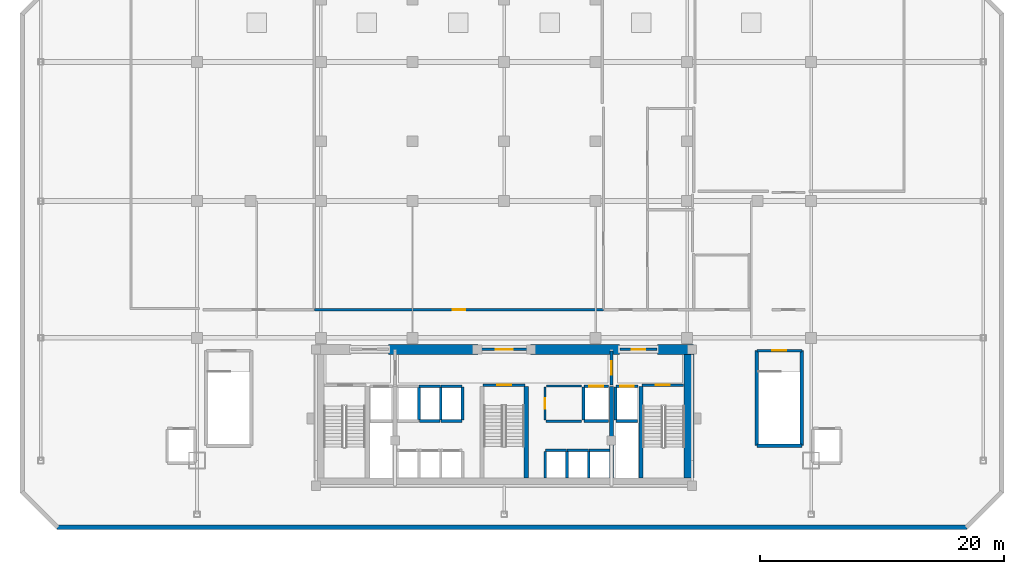
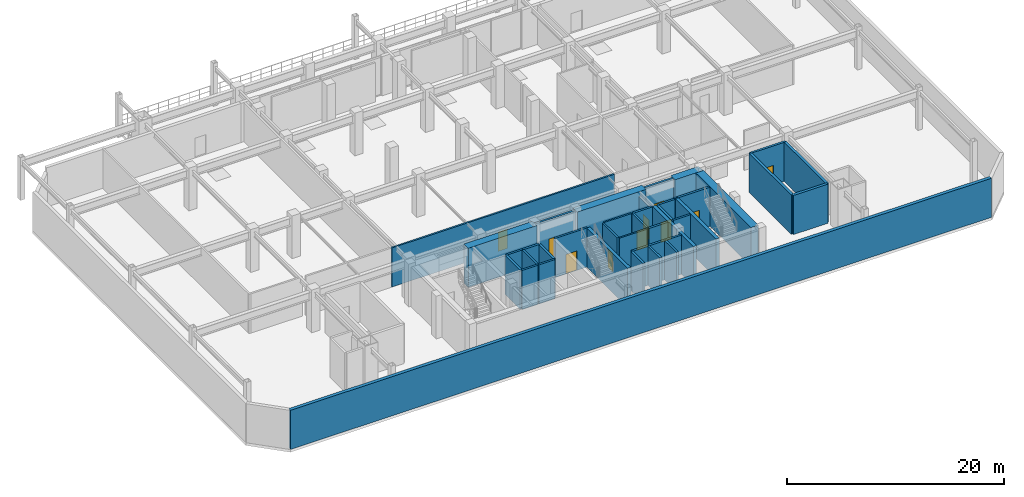
# One storey, part 11 of 15: 40 walls, 10 doors, 10 openings.
"""IFC4 building model written with IfcOpenShell, lengths in metres."""

from ifc_helpers import new_model, si_unit, direction, frame, frame_2d, origin, place, context, subcontext, project, spatial, rectangle, extrude, material, layer, layer_set, type_object, element, fill, save


model = new_model("IFC4")

# Units and contexts
model_context = context("Model", 3, precision=1e-05, world=origin(), true_north=direction((0.0, 1.0)))
body_context = subcontext(model_context, "Body", "Model", "MODEL_VIEW")
ifc_project = project(units=[si_unit("LENGTHUNIT", "METRE"), si_unit("AREAUNIT", "SQUARE_METRE"), si_unit("VOLUMEUNIT", "CUBIC_METRE"), si_unit("PLANEANGLEUNIT", "RADIAN"), si_unit("MASSUNIT", "GRAM", prefix="KILO")], contexts=[model_context])

# Site, building, storey
site_placement = place(None, origin())
site = spatial("IfcSite", under=ifc_project, at=site_placement, CompositionType="ELEMENT")
building_placement = place(site_placement, origin())
building = spatial("IfcBuilding", under=site, at=building_placement, Name="Ventersveld Concourse Tower", CompositionType="ELEMENT")
storey_placement = place(building_placement, frame((0.0, 0.0, 19.800048828125)))
storey = spatial("IfcBuildingStorey", under=building, at=storey_placement, Name="L04", CompositionType="ELEMENT", Elevation=19.800048828125)

# Walls
ifc_material_1 = material(Name="Concrete C60/75", Category="concrete")
ifc_layer_1 = layer(ifc_material_1, 0.35009765625)
ifc_layer_set_1 = layer_set([ifc_layer_1], Name="Concrete C60/75")
wall_type_1 = type_object("IfcWallType", Name="WL-CORE-350L", PredefinedType="SHEAR", material=ifc_layer_set_1)
for number, where, z_axis, x_axis, name in (
    (1, (30.56005859375, 0.919921875, 0.0), (0.0, 0.0, 1.0), (0.0, 1.0, 0.0), "L04 Core Internal Shear Web W-ST3-E"),
    (2, (37.550048828125, 0.919921875, 0.0), (0.0, 0.0, 1.0), (0.0, 1.0, 0.0), "L04 Core Internal Shear Web W-SVL-W"),
    (3, (39.9599609375, 0.919921875, 0.0), (0.0, 0.0, 1.0), (0.0, 1.0, 0.0), "L04 Core Internal Shear Web W-ST2-W"),
):
    element("IfcWall", number, at=place(storey_placement, frame(where, z_axis=z_axis, x_axis=x_axis)), inside=storey, type_object=wall_type_1, Name=name, PredefinedType="SHEAR", context=body_context, shape_type="SweptSolid", body=[
        extrude(rectangle(XDim=7.5, YDim=0.35009765625, at=frame_2d((3.75, 0.0))), origin(), (0.0, 0.0, 1.0), 4.39990234375),
    ])
ifc_layer_2 = layer(ifc_material_1, 0.800048828125)
ifc_layer_set_2 = layer_set([ifc_layer_2], Name="Concrete C60/75")
wall_type_2 = type_object("IfcWallType", Name="WL-CORE-800", PredefinedType="SHEAR", material=ifc_layer_set_2)
wall_1_placement = place(storey_placement, frame((43.89990234375, 0.919921875, 0.0), z_axis=(0.0, 0.0, 1.0), x_axis=(0.0, 1.0, 0.0)))
element("IfcWall", 4, at=wall_1_placement, inside=storey, type_object=wall_type_2, Name="L04 Rear Core East Shear Wall", PredefinedType="SHEAR", context=body_context, shape_type="SweptSolid", body=[
    extrude(rectangle(XDim=10.530029296875, YDim=0.800048828125, at=frame_2d((5.26513671875, 0.0))), origin(), (0.0, 0.0, 1.0), 4.39990234375),
])
for number, where, z_axis, x_axis, name in (
    (5, (19.300048828125, 11.449951171875, 0.0), (0.0, 0.0, 1.0), (1.0, 0.0, 0.0), "L04 Rear Core North Shear Wall NML"),
    (6, (30.89990234375, 11.449951171875, 0.0), (0.0, 0.0, 1.0), (1.0, 0.0, 0.0), "L04 Rear Core North Shear Wall NMR"),
):
    element("IfcWall", number, at=place(storey_placement, frame(where, z_axis=z_axis, x_axis=x_axis)), inside=storey, type_object=wall_type_2, Name=name, PredefinedType="SHEAR", context=body_context, shape_type="SweptSolid", body=[
        extrude(rectangle(XDim=7.300048828125, YDim=0.800048828125, at=frame_2d((3.64990234375, 0.0))), origin(), (0.0, 0.0, 1.0), 4.39990234375),
    ])
wall_2_placement = place(storey_placement, frame((41.300048828125, 11.449951171875, 0.0), z_axis=(0.0, 0.0, 1.0), x_axis=(1.0, 0.0, 0.0)))
element("IfcWall", 7, at=wall_2_placement, inside=storey, type_object=wall_type_2, Name="L04 Rear Core North Shear Wall NE", PredefinedType="SHEAR", context=body_context, shape_type="SweptSolid", body=[
    extrude(rectangle(XDim=2.949951171875, YDim=0.800048828125, at=frame_2d((1.47509765625, 0.0))), origin(), (0.0, 0.0, 1.0), 4.39990234375),
])

# Wall, opening, door
ifc_material_2 = material(Name="Fire-rated autoclaved aerated masonry blockwork", Category="masonry")
ifc_layer_3 = layer(ifc_material_2, 0.179931640625)
ifc_layer_set_3 = layer_set([ifc_layer_3], Name="Fire-rated autoclaved aerated masonry blockwork")
wall_type_3 = type_object("IfcWallType", Name="WL-CORR-180", PredefinedType="PARTITIONING", material=ifc_layer_set_3)
wall_3_placement = place(storey_placement, frame((32.10009765625, 5.64990234375, 0.0), z_axis=(0.0, 0.0, 1.0), x_axis=(0.0, 1.0, 0.0)))
wall_3 = element("IfcWall", 8, at=wall_3_placement, inside=storey, type_object=wall_type_3, Name="L04 Core Passage Wall SP-L04-CBAY1", PredefinedType="PARTITIONING", context=body_context, shape_type="SweptSolid", body=[
    extrude(rectangle(XDim=2.72998046875, YDim=0.179931640625, at=frame_2d((1.364990234375, 0.0))), origin(), (0.0, 0.0, 1.0), 4.39990234375),
])
opening_1_placement = place(wall_3_placement, frame((0.925048828125, 0.0, 0.0)))
opening_1 = element("IfcOpeningElement", 9, at=opening_1_placement, cuts=wall_3, Name="Opening FD5", PredefinedType="OPENING", context=body_context, shape_type="SweptSolid", body=[
    extrude(rectangle(XDim=0.8798828125, YDim=2.050048828125, at=frame_2d((0.43994140625, 1.02490234375))), frame((0.0, 0.10009765625, 0.0), z_axis=(0.0, -1.0, 0.0), x_axis=(1.0, 0.0, 0.0)), (0.0, 0.0, 1.0), 0.199951171875),
])
ifc_material_3 = material(Name="Galvanised painted steel", Category="steel")
door_type_1 = type_object("IfcDoorType", Name="DR-RISER-088", OperationType="NOTDEFINED", PredefinedType="DOOR", material=ifc_material_3)
door_1_placement = place(opening_1_placement, origin())
door_1 = element("IfcDoor", 10, at=door_1_placement, inside=storey, type_object=door_type_1, Name="L04 Core Room Door L04 Core Housekeeping Linen Store (CD-L04-0144)", OperationType="SINGLE_SWING_LEFT", OverallHeight=2.050048828125, OverallWidth=0.8798828125, PredefinedType="DOOR", context=body_context, shape_type="SweptSolid", body=[
    extrude(rectangle(XDim=0.8798828125, YDim=2.050048828125, at=frame_2d((0.43994140625, 1.02490234375))), frame((0.0, 0.02490234375, 0.0), z_axis=(0.0, -1.0, 0.0), x_axis=(1.0, 0.0, 0.0)), (0.0, 0.0, 1.0), 0.050048828125),
])
fill(opening_1, door_1)

# Walls
wall_4_placement = place(storey_placement, frame((32.219970703125, 8.4599609375, 0.0), z_axis=(0.0, 0.0, 1.0), x_axis=(1.0, 0.0, 0.0)))
element("IfcWall", 11, at=wall_4_placement, inside=storey, type_object=wall_type_3, Name="L04 Core Top Wall SP-L04-CBAY1", PredefinedType="PARTITIONING", context=body_context, shape_type="SweptSolid", body=[
    extrude(rectangle(XDim=2.880126953125, YDim=0.179931640625, at=frame_2d((1.43994140625, 0.0))), origin(), (0.0, 0.0, 1.0), 4.39990234375),
])
wall_5_placement = place(storey_placement, frame((32.179931640625, 5.570068359375, 0.0), z_axis=(0.0, 0.0, 1.0), x_axis=(1.0, 0.0, 0.0)))
element("IfcWall", 12, at=wall_5_placement, inside=storey, type_object=wall_type_3, Name="L04 Core Bot Wall SP-L04-CBAY1", PredefinedType="PARTITIONING", context=body_context, shape_type="SweptSolid", body=[
    extrude(rectangle(XDim=2.920166015625, YDim=0.179931640625, at=frame_2d((1.4599609375, 0.0))), origin(), (0.0, 0.0, 1.0), 4.39990234375),
])

# Wall, opening, door
wall_6_placement = place(storey_placement, frame((13.22509765625, 14.699951171875, 0.0), z_axis=(0.0, 0.0, 1.0), x_axis=(1.0, 0.0, 0.0)))
wall_6 = element("IfcWall", 13, at=wall_6_placement, inside=storey, type_object=wall_type_3, Name="L04 Interior Partition SP-L04-COR-SP-L04-LOUNGE", PredefinedType="PARTITIONING", context=body_context, shape_type="SweptSolid", body=[
    extrude(rectangle(XDim=23.669921875, YDim=0.179931640625, at=frame_2d((11.8349609375, 0.0))), origin(), (0.0, 0.0, 1.0), 4.39990234375),
])
opening_2_placement = place(wall_6_placement, frame((11.3349609375, 0.0, 0.0)))
opening_2 = element("IfcOpeningElement", 14, at=opening_2_placement, cuts=wall_6, Name="Opening FD3", PredefinedType="OPENING", context=body_context, shape_type="SweptSolid", body=[
    extrude(rectangle(XDim=1.0, YDim=2.14990234375, at=frame_2d((0.5, 1.074951171875))), frame((0.0, 0.10009765625, 0.0), z_axis=(0.0, -1.0, 0.0), x_axis=(1.0, 0.0, 0.0)), (0.0, 0.0, 1.0), 0.199951171875),
])
ifc_material_4 = material(Name="Solid-core hardwood veneer timber", Category="wood")
door_type_2 = type_object("IfcDoorType", Name="DR-FLAT-100", OperationType="NOTDEFINED", PredefinedType="DOOR", material=ifc_material_4)
door_2_placement = place(opening_2_placement, origin())
door_2 = element("IfcDoor", 15, at=door_2_placement, inside=storey, type_object=door_type_2, Name="L04 Interior Door SP-L04-COR to SP-L04-LOUNGE (D-L04-0146)", OperationType="SINGLE_SWING_RIGHT", OverallHeight=2.14990234375, OverallWidth=1.0, PredefinedType="DOOR", context=body_context, shape_type="SweptSolid", body=[
    extrude(rectangle(XDim=1.0, YDim=2.14990234375, at=frame_2d((0.5, 1.074951171875))), frame((0.0, 0.02490234375, 0.0), z_axis=(0.0, -1.0, 0.0), x_axis=(1.0, 0.0, 0.0)), (0.0, 0.0, 1.0), 0.050048828125),
])
fill(opening_2, door_2)

# Walls
ifc_layer_4 = layer(ifc_material_2, 0.219970703125)
ifc_layer_set_4 = layer_set([ifc_layer_4], Name="Fire-rated autoclaved aerated masonry blockwork")
wall_type_4 = type_object("IfcWallType", Name="WL-HOIST-220", PredefinedType="SOLIDWALL", material=ifc_layer_set_4)
wall_7_placement = place(storey_placement, frame((37.919921875, 5.590087890625, 0.0), z_axis=(0.0, 0.0, 1.0), x_axis=(1.0, 0.0, 0.0)))
element("IfcWall", 16, at=wall_7_placement, inside=storey, type_object=wall_type_4, Name="L04 Lift Hoistway Back Wall FFL-02", PredefinedType="SOLIDWALL", context=body_context, shape_type="SweptSolid", body=[
    extrude(rectangle(XDim=1.780029296875, YDim=0.219970703125, at=frame_2d((0.89013671875, 0.0))), origin(), (0.0, 0.0, 1.0), 4.39990234375),
])
wall_8_placement = place(storey_placement, frame((37.8798828125, 5.64990234375, 0.0), z_axis=(0.0, 0.0, 1.0), x_axis=(0.0, 1.0, 0.0)))
element("IfcWall", 17, at=wall_8_placement, inside=storey, type_object=wall_type_4, Name="L04 Lift Hoistway Side Wall FFL-02W", PredefinedType="SOLIDWALL", context=body_context, shape_type="SweptSolid", body=[
    extrude(rectangle(XDim=2.7001953125, YDim=0.219970703125, at=frame_2d((1.35009765625, 0.0))), origin(), (0.0, 0.0, 1.0), 4.39990234375),
])

# Wall, opening, door
wall_9_placement = place(storey_placement, frame((37.89990234375, 8.429931640625, 0.0), z_axis=(0.0, 0.0, 1.0), x_axis=(1.0, 0.0, 0.0)))
wall_9 = element("IfcWall", 18, at=wall_9_placement, inside=storey, type_object=wall_type_4, Name="L04 Lift Hoistway Front Wall FFL-02", PredefinedType="SOLIDWALL", context=body_context, shape_type="SweptSolid", body=[
    extrude(rectangle(XDim=1.820068359375, YDim=0.219970703125, at=frame_2d((0.91015625, 0.0))), origin(), (0.0, 0.0, 1.0), 4.39990234375),
])
opening_3_placement = place(wall_9_placement, frame((0.35009765625, 0.0, 0.0)))
opening_3 = element("IfcOpeningElement", 19, at=opening_3_placement, cuts=wall_9, Name="Opening LD1", PredefinedType="OPENING", context=body_context, shape_type="SweptSolid", body=[
    extrude(rectangle(XDim=1.1201171875, YDim=2.25, at=frame_2d((0.56005859375, 1.125))), frame((0.0, 0.1201171875, 0.0), z_axis=(0.0, -1.0, 0.0), x_axis=(1.0, 0.0, 0.0)), (0.0, 0.0, 1.0), 0.239990234375),
])
ifc_material_5 = material(Name="Brushed stainless steel 316", Category="steel")
door_type_3 = type_object("IfcDoorType", Name="LD-FF-112", OperationType="SLIDING_TO_LEFT", PredefinedType="DOOR", material=ifc_material_5)
door_3_placement = place(opening_3_placement, origin())
door_3 = element("IfcDoor", 20, at=door_3_placement, inside=storey, type_object=door_type_3, Name="L04 Lift landing door FFL-02 (LD-L04-FFL-02)", OperationType="SLIDING_TO_LEFT", OverallHeight=2.25, OverallWidth=1.1201171875, PredefinedType="DOOR", context=body_context, shape_type="SweptSolid", body=[
    extrude(rectangle(XDim=1.1201171875, YDim=2.25, at=frame_2d((0.56005859375, 1.125))), frame((0.0, 0.02490234375, 0.0), z_axis=(0.0, -1.0, 0.0), x_axis=(1.0, 0.0, 0.0)), (0.0, 0.0, 1.0), 0.050048828125),
])
fill(opening_3, door_3)

# Walls
wall_10_placement = place(storey_placement, frame((35.300048828125, 5.590087890625, 0.0), z_axis=(0.0, 0.0, 1.0), x_axis=(1.0, 0.0, 0.0)))
element("IfcWall", 21, at=wall_10_placement, inside=storey, type_object=wall_type_4, Name="L04 Lift Hoistway Back Wall SVL-01", PredefinedType="SOLIDWALL", context=body_context, shape_type="SweptSolid", body=[
    extrude(rectangle(XDim=2.0, YDim=0.219970703125, at=frame_2d((1.0, 0.0))), origin(), (0.0, 0.0, 1.0), 4.39990234375),
])
wall_11_placement = place(storey_placement, frame((35.260009765625, 5.64990234375, 0.0), z_axis=(0.0, 0.0, 1.0), x_axis=(0.0, 1.0, 0.0)))
element("IfcWall", 22, at=wall_11_placement, inside=storey, type_object=wall_type_4, Name="L04 Lift Hoistway Side Wall SVL-01W", PredefinedType="SOLIDWALL", context=body_context, shape_type="SweptSolid", body=[
    extrude(rectangle(XDim=2.7001953125, YDim=0.219970703125, at=frame_2d((1.35009765625, 0.0))), origin(), (0.0, 0.0, 1.0), 4.39990234375),
])

# Wall, opening, door
wall_12_placement = place(storey_placement, frame((35.280029296875, 8.429931640625, 0.0), z_axis=(0.0, 0.0, 1.0), x_axis=(1.0, 0.0, 0.0)))
wall_12 = element("IfcWall", 23, at=wall_12_placement, inside=storey, type_object=wall_type_4, Name="L04 Lift Hoistway Front Wall SVL-01", PredefinedType="SOLIDWALL", context=body_context, shape_type="SweptSolid", body=[
    extrude(rectangle(XDim=2.0400390625, YDim=0.219970703125, at=frame_2d((1.02001953125, 0.0))), origin(), (0.0, 0.0, 1.0), 4.39990234375),
])
opening_4_placement = place(wall_12_placement, frame((0.429931640625, 0.0, 0.0)))
opening_4 = element("IfcOpeningElement", 24, at=opening_4_placement, cuts=wall_12, Name="Opening LD2", PredefinedType="OPENING", context=body_context, shape_type="SweptSolid", body=[
    extrude(rectangle(XDim=1.179931640625, YDim=2.199951171875, at=frame_2d((0.58984375, 1.10009765625))), frame((0.0, 0.1201171875, 0.0), z_axis=(0.0, -1.0, 0.0), x_axis=(1.0, 0.0, 0.0)), (0.0, 0.0, 1.0), 0.239990234375),
])
door_type_4 = type_object("IfcDoorType", Name="LD-PAX-118", OperationType="SLIDING_TO_LEFT", PredefinedType="DOOR", material=ifc_material_5)
door_4_placement = place(opening_4_placement, origin())
door_4 = element("IfcDoor", 25, at=door_4_placement, inside=storey, type_object=door_type_4, Name="L04 Lift landing door SVL-01 (LD-L04-SVL-01)", OperationType="SLIDING_TO_RIGHT", OverallHeight=2.199951171875, OverallWidth=1.179931640625, PredefinedType="DOOR", context=body_context, shape_type="SweptSolid", body=[
    extrude(rectangle(XDim=1.179931640625, YDim=2.199951171875, at=frame_2d((0.58984375, 1.10009765625))), frame((0.0, 0.02490234375, 0.0), z_axis=(0.0, -1.0, 0.0), x_axis=(1.0, 0.0, 0.0)), (0.0, 0.0, 1.0), 0.050048828125),
])
fill(opening_4, door_4)

# Walls
for number, where, z_axis, x_axis, name in (
    (26, (32.1201171875, 0.89990234375, 0.0), (0.0, 0.0, 1.0), (0.0, 1.0, 0.0), "L04 Lift Hoistway Side Wall PM-01W"),
    (27, (33.89990234375, 0.89990234375, 0.0), (0.0, 0.0, 1.0), (0.0, 1.0, 0.0), "L04 Lift Hoistway Side Wall PM-01E"),
):
    element("IfcWall", number, at=place(storey_placement, frame(where, z_axis=z_axis, x_axis=x_axis)), inside=storey, type_object=wall_type_4, Name=name, PredefinedType="SOLIDWALL", context=body_context, shape_type="SweptSolid", body=[
        extrude(rectangle(XDim=2.2001953125, YDim=0.219970703125, at=frame_2d((1.10009765625, 0.0))), origin(), (0.0, 0.0, 1.0), 4.39990234375),
    ])
wall_13_placement = place(storey_placement, frame((32.139892578125, 3.179931640625, 0.0), z_axis=(0.0, 0.0, 1.0), x_axis=(1.0, 0.0, 0.0)))
element("IfcWall", 28, at=wall_13_placement, inside=storey, type_object=wall_type_4, Name="L04 Lift Hoistway Front Wall PM-01", PredefinedType="SOLIDWALL", context=body_context, shape_type="SweptSolid", body=[
    extrude(rectangle(XDim=1.739990234375, YDim=0.219970703125, at=frame_2d((0.8701171875, 0.0))), origin(), (0.0, 0.0, 1.0), 4.39990234375),
])
wall_14_placement = place(storey_placement, frame((35.679931640625, 0.89990234375, 0.0), z_axis=(0.0, 0.0, 1.0), x_axis=(0.0, 1.0, 0.0)))
element("IfcWall", 29, at=wall_14_placement, inside=storey, type_object=wall_type_4, Name="L04 Lift Hoistway Side Wall PM-02E", PredefinedType="SOLIDWALL", context=body_context, shape_type="SweptSolid", body=[
    extrude(rectangle(XDim=2.2001953125, YDim=0.219970703125, at=frame_2d((1.10009765625, 0.0))), origin(), (0.0, 0.0, 1.0), 4.39990234375),
])
for number, where, z_axis, x_axis, name in (
    (30, (33.919921875, 3.179931640625, 0.0), (0.0, 0.0, 1.0), (1.0, 0.0, 0.0), "L04 Lift Hoistway Front Wall PM-02"),
    (31, (35.699951171875, 3.179931640625, 0.0), (0.0, 0.0, 1.0), (1.0, 0.0, 0.0), "L04 Lift Hoistway Front Wall PM-03"),
):
    element("IfcWall", number, at=place(storey_placement, frame(where, z_axis=z_axis, x_axis=x_axis)), inside=storey, type_object=wall_type_4, Name=name, PredefinedType="SOLIDWALL", context=body_context, shape_type="SweptSolid", body=[
        extrude(rectangle(XDim=1.739990234375, YDim=0.219970703125, at=frame_2d((0.8701171875, 0.0))), origin(), (0.0, 0.0, 1.0), 4.39990234375),
    ])
wall_15_placement = place(storey_placement, frame((21.780029296875, 5.64990234375, 0.0), z_axis=(0.0, 0.0, 1.0), x_axis=(0.0, 1.0, 0.0)))
element("IfcWall", 32, at=wall_15_placement, inside=storey, type_object=wall_type_4, Name="L04 Lift Hoistway Side Wall PH-01E", PredefinedType="SOLIDWALL", context=body_context, shape_type="SweptSolid", body=[
    extrude(rectangle(XDim=2.7001953125, YDim=0.219970703125, at=frame_2d((1.35009765625, 0.0))), origin(), (0.0, 0.0, 1.0), 4.39990234375),
])
wall_16_placement = place(storey_placement, frame((21.820068359375, 5.590087890625, 0.0), z_axis=(0.0, 0.0, 1.0), x_axis=(1.0, 0.0, 0.0)))
element("IfcWall", 33, at=wall_16_placement, inside=storey, type_object=wall_type_4, Name="L04 Lift Hoistway Back Wall PH-02", PredefinedType="SOLIDWALL", context=body_context, shape_type="SweptSolid", body=[
    extrude(rectangle(XDim=1.699951171875, YDim=0.219970703125, at=frame_2d((0.85009765625, 0.0))), origin(), (0.0, 0.0, 1.0), 4.39990234375),
])
wall_17_placement = place(storey_placement, frame((23.56005859375, 5.64990234375, 0.0), z_axis=(0.0, 0.0, 1.0), x_axis=(0.0, 1.0, 0.0)))
element("IfcWall", 34, at=wall_17_placement, inside=storey, type_object=wall_type_4, Name="L04 Lift Hoistway Side Wall PH-02E", PredefinedType="SOLIDWALL", context=body_context, shape_type="SweptSolid", body=[
    extrude(rectangle(XDim=2.7001953125, YDim=0.219970703125, at=frame_2d((1.35009765625, 0.0))), origin(), (0.0, 0.0, 1.0), 4.39990234375),
])
wall_18_placement = place(storey_placement, frame((21.800048828125, 8.429931640625, 0.0), z_axis=(0.0, 0.0, 1.0), x_axis=(1.0, 0.0, 0.0)))
element("IfcWall", 35, at=wall_18_placement, inside=storey, type_object=wall_type_4, Name="L04 Lift Hoistway Front Wall PH-02", PredefinedType="SOLIDWALL", context=body_context, shape_type="SweptSolid", body=[
    extrude(rectangle(XDim=1.739990234375, YDim=0.219970703125, at=frame_2d((0.8701171875, 0.0))), origin(), (0.0, 0.0, 1.0), 4.39990234375),
])
wall_19_placement = place(storey_placement, frame((23.60009765625, 5.590087890625, 0.0), z_axis=(0.0, 0.0, 1.0), x_axis=(1.0, 0.0, 0.0)))
element("IfcWall", 36, at=wall_19_placement, inside=storey, type_object=wall_type_4, Name="L04 Lift Hoistway Back Wall PH-03", PredefinedType="SOLIDWALL", context=body_context, shape_type="SweptSolid", body=[
    extrude(rectangle(XDim=1.699951171875, YDim=0.219970703125, at=frame_2d((0.85009765625, 0.0))), origin(), (0.0, 0.0, 1.0), 4.39990234375),
])
wall_20_placement = place(storey_placement, frame((25.340087890625, 5.64990234375, 0.0), z_axis=(0.0, 0.0, 1.0), x_axis=(0.0, 1.0, 0.0)))
element("IfcWall", 37, at=wall_20_placement, inside=storey, type_object=wall_type_4, Name="L04 Lift Hoistway Side Wall PH-03E", PredefinedType="SOLIDWALL", context=body_context, shape_type="SweptSolid", body=[
    extrude(rectangle(XDim=2.7001953125, YDim=0.219970703125, at=frame_2d((1.35009765625, 0.0))), origin(), (0.0, 0.0, 1.0), 4.39990234375),
])
wall_21_placement = place(storey_placement, frame((23.580078125, 8.429931640625, 0.0), z_axis=(0.0, 0.0, 1.0), x_axis=(1.0, 0.0, 0.0)))
element("IfcWall", 38, at=wall_21_placement, inside=storey, type_object=wall_type_4, Name="L04 Lift Hoistway Front Wall PH-03", PredefinedType="SOLIDWALL", context=body_context, shape_type="SweptSolid", body=[
    extrude(rectangle(XDim=1.739990234375, YDim=0.219970703125, at=frame_2d((0.8701171875, 0.0))), origin(), (0.0, 0.0, 1.0), 4.39990234375),
])

# Wall, opening, door
wall_22_placement = place(storey_placement, frame((40.06005859375, 8.52001953125, 0.0), z_axis=(0.0, 0.0, 1.0), x_axis=(1.0, 0.0, 0.0)))
wall_22 = element("IfcWall", 39, at=wall_22_placement, inside=storey, type_object=wall_type_4, Name="L04 Escape Stair ST02 Fire Wall", PredefinedType="SOLIDWALL", context=body_context, shape_type="SweptSolid", body=[
    extrude(rectangle(XDim=3.39990234375, YDim=0.219970703125, at=frame_2d((1.699951171875, 0.0))), origin(), (0.0, 0.0, 1.0), 4.39990234375),
])
opening_5_placement = place(wall_22_placement, frame((1.125, 0.0, 0.0)))
opening_5 = element("IfcOpeningElement", 40, at=opening_5_placement, cuts=wall_22, Name="Opening FD1", PredefinedType="OPENING", context=body_context, shape_type="SweptSolid", body=[
    extrude(rectangle(XDim=1.14990234375, YDim=2.199951171875, at=frame_2d((0.574951171875, 1.10009765625))), frame((0.0, 0.1201171875, 0.0), z_axis=(0.0, -1.0, 0.0), x_axis=(1.0, 0.0, 0.0)), (0.0, 0.0, 1.0), 0.239990234375),
])
door_type_5 = type_object("IfcDoorType", Name="DR-STAIR-115", OperationType="NOTDEFINED", PredefinedType="DOOR", material=ifc_material_3)
door_5_placement = place(opening_5_placement, origin())
door_5 = element("IfcDoor", 41, at=door_5_placement, inside=storey, type_object=door_type_5, Name="L04 Escape Stair Door ST02 (SD-L04-0135)", OperationType="SINGLE_SWING_RIGHT", OverallHeight=2.199951171875, OverallWidth=1.14990234375, PredefinedType="DOOR", context=body_context, shape_type="SweptSolid", body=[
    extrude(rectangle(XDim=1.14990234375, YDim=2.199951171875, at=frame_2d((0.574951171875, 1.10009765625))), frame((0.0, 0.02490234375, 0.0), z_axis=(0.0, -1.0, 0.0), x_axis=(1.0, 0.0, 0.0)), (0.0, 0.0, 1.0), 0.050048828125),
])
fill(opening_5, door_5)

wall_23_placement = place(storey_placement, frame((27.0400390625, 8.52001953125, 0.0), z_axis=(0.0, 0.0, 1.0), x_axis=(1.0, 0.0, 0.0)))
wall_23 = element("IfcWall", 42, at=wall_23_placement, inside=storey, type_object=wall_type_4, Name="L04 Escape Stair ST03 Fire Wall", PredefinedType="SOLIDWALL", context=body_context, shape_type="SweptSolid", body=[
    extrude(rectangle(XDim=3.419921875, YDim=0.219970703125, at=frame_2d((1.7099609375, 0.0))), origin(), (0.0, 0.0, 1.0), 4.39990234375),
])
opening_6_placement = place(wall_23_placement, frame((1.135009765625, 0.0, 0.0)))
opening_6 = element("IfcOpeningElement", 43, at=opening_6_placement, cuts=wall_23, Name="Opening FD1", PredefinedType="OPENING", context=body_context, shape_type="SweptSolid", body=[
    extrude(rectangle(XDim=1.14990234375, YDim=2.199951171875, at=frame_2d((0.574951171875, 1.10009765625))), frame((0.0, 0.1201171875, 0.0), z_axis=(0.0, -1.0, 0.0), x_axis=(1.0, 0.0, 0.0)), (0.0, 0.0, 1.0), 0.239990234375),
])
door_6_placement = place(opening_6_placement, origin())
door_6 = element("IfcDoor", 44, at=door_6_placement, inside=storey, type_object=door_type_5, Name="L04 Escape Stair Door ST03 (SD-L04-0136)", OperationType="SINGLE_SWING_LEFT", OverallHeight=2.199951171875, OverallWidth=1.14990234375, PredefinedType="DOOR", context=body_context, shape_type="SweptSolid", body=[
    extrude(rectangle(XDim=1.14990234375, YDim=2.199951171875, at=frame_2d((0.574951171875, 1.10009765625))), frame((0.0, 0.02490234375, 0.0), z_axis=(0.0, -1.0, 0.0), x_axis=(1.0, 0.0, 0.0)), (0.0, 0.0, 1.0), 0.050048828125),
])
fill(opening_6, door_6)

wall_24_placement = place(storey_placement, frame((49.4599609375, 11.35009765625, 0.0), z_axis=(0.0, 0.0, 1.0), x_axis=(1.0, 0.0, 0.0)))
wall_24 = element("IfcWall", 45, at=wall_24_placement, inside=storey, type_object=wall_type_4, Name="L04 Escape Stair ST05 Fire Wall", PredefinedType="SOLIDWALL", context=body_context, shape_type="SweptSolid", body=[
    extrude(rectangle(XDim=3.679931640625, YDim=0.219970703125, at=frame_2d((1.83984375, 0.0))), origin(), (0.0, 0.0, 1.0), 4.39990234375),
])
opening_7_placement = place(wall_24_placement, frame((1.264892578125, 0.0, 0.0)))
opening_7 = element("IfcOpeningElement", 46, at=opening_7_placement, cuts=wall_24, Name="Opening FD1", PredefinedType="OPENING", context=body_context, shape_type="SweptSolid", body=[
    extrude(rectangle(XDim=1.14990234375, YDim=2.199951171875, at=frame_2d((0.574951171875, 1.10009765625))), frame((0.0, 0.1201171875, 0.0), z_axis=(0.0, -1.0, 0.0), x_axis=(1.0, 0.0, 0.0)), (0.0, 0.0, 1.0), 0.239990234375),
])
door_7_placement = place(opening_7_placement, origin())
door_7 = element("IfcDoor", 47, at=door_7_placement, inside=storey, type_object=door_type_5, Name="L04 Escape Stair Door ST05 (SD-L04-0138)", OperationType="SINGLE_SWING_LEFT", OverallHeight=2.199951171875, OverallWidth=1.14990234375, PredefinedType="DOOR", context=body_context, shape_type="SweptSolid", body=[
    extrude(rectangle(XDim=1.14990234375, YDim=2.199951171875, at=frame_2d((0.574951171875, 1.10009765625))), frame((0.0, 0.02490234375, 0.0), z_axis=(0.0, -1.0, 0.0), x_axis=(1.0, 0.0, 0.0)), (0.0, 0.0, 1.0), 0.050048828125),
])
fill(opening_7, door_7)

wall_25_placement = place(storey_placement, frame((37.550048828125, 8.52001953125, 0.0), z_axis=(0.0, 0.0, 1.0), x_axis=(0.0, 1.0, 0.0)))
wall_25 = element("IfcWall", 48, at=wall_25_placement, inside=storey, type_object=wall_type_4, Name="L04 Firefighting Lobby Smoke-Stop Wall FFLE-SEP", PredefinedType="SOLIDWALL", context=body_context, shape_type="SweptSolid", body=[
    extrude(rectangle(XDim=2.800048828125, YDim=0.219970703125, at=frame_2d((1.39990234375, 0.0))), origin(), (0.0, 0.0, 1.0), 3.85546875),
])
opening_8_placement = place(wall_25_placement, frame((0.85009765625, 0.0, 0.0)))
opening_8 = element("IfcOpeningElement", 49, at=opening_8_placement, cuts=wall_25, Name="Opening FD2", PredefinedType="OPENING", context=body_context, shape_type="SweptSolid", body=[
    extrude(rectangle(XDim=1.10009765625, YDim=2.199951171875, at=frame_2d((0.550048828125, 1.10009765625))), frame((0.0, 0.1201171875, 0.0), z_axis=(0.0, -1.0, 0.0), x_axis=(1.0, 0.0, 0.0)), (0.0, 0.0, 1.0), 0.239990234375),
])
door_type_6 = type_object("IfcDoorType", Name="DR-FFL-110", OperationType="NOTDEFINED", PredefinedType="DOOR", material=ifc_material_3)
door_8_placement = place(opening_8_placement, origin())
door_8 = element("IfcDoor", 50, at=door_8_placement, inside=storey, type_object=door_type_6, Name="L04 Firefighting Lobby Door FFLE-SEP (FD-L04-0140)", OperationType="SINGLE_SWING_RIGHT", OverallHeight=2.199951171875, OverallWidth=1.10009765625, PredefinedType="DOOR", context=body_context, shape_type="SweptSolid", body=[
    extrude(rectangle(XDim=1.10009765625, YDim=2.199951171875, at=frame_2d((0.550048828125, 1.10009765625))), frame((0.0, 0.02490234375, 0.0), z_axis=(0.0, -1.0, 0.0), x_axis=(1.0, 0.0, 0.0)), (0.0, 0.0, 1.0), 0.050048828125),
])
fill(opening_8, door_8)

wall_26_placement = place(storey_placement, frame((26.6298828125, 11.449951171875, 0.0), z_axis=(0.0, 0.0, 1.0), x_axis=(1.0, 0.0, 0.0)))
wall_26 = element("IfcWall", 51, at=wall_26_placement, inside=storey, type_object=wall_type_4, Name="L04 Core North Fire Portal PLOB-OUT", PredefinedType="SOLIDWALL", context=body_context, shape_type="SweptSolid", body=[
    extrude(rectangle(XDim=4.240234375, YDim=0.219970703125, at=frame_2d((2.1201171875, 0.0))), origin(), (0.0, 0.0, 1.0), 4.39990234375),
])
opening_9_placement = place(wall_26_placement, frame((1.419921875, 0.0, 0.0)))
opening_9 = element("IfcOpeningElement", 52, at=opening_9_placement, cuts=wall_26, Name="Opening FD4", PredefinedType="OPENING", context=body_context, shape_type="SweptSolid", body=[
    extrude(rectangle(XDim=1.39990234375, YDim=2.199951171875, at=frame_2d((0.699951171875, 1.10009765625))), frame((0.0, 0.1201171875, 0.0), z_axis=(0.0, -1.0, 0.0), x_axis=(1.0, 0.0, 0.0)), (0.0, 0.0, 1.0), 0.239990234375),
])
door_type_7 = type_object("IfcDoorType", Name="DR-PLANT-140", OperationType="DOUBLE_DOOR_SINGLE_SWING", PredefinedType="DOOR", material=ifc_material_3)
door_9_placement = place(opening_9_placement, origin())
door_9 = element("IfcDoor", 53, at=door_9_placement, inside=storey, type_object=door_type_7, Name="L04 Core Lobby Fire Door PLOB-OUT (FD-L04-0142)", OperationType="DOUBLE_DOOR_SINGLE_SWING", OverallHeight=2.199951171875, OverallWidth=1.39990234375, PredefinedType="DOOR", context=body_context, shape_type="SweptSolid", body=[
    extrude(rectangle(XDim=1.39990234375, YDim=2.199951171875, at=frame_2d((0.699951171875, 1.10009765625))), frame((0.0, 0.02490234375, 0.0), z_axis=(0.0, -1.0, 0.0), x_axis=(1.0, 0.0, 0.0)), (0.0, 0.0, 1.0), 0.050048828125),
])
fill(opening_9, door_9)

wall_27_placement = place(storey_placement, frame((38.22998046875, 11.449951171875, 0.0), z_axis=(0.0, 0.0, 1.0), x_axis=(1.0, 0.0, 0.0)))
wall_27 = element("IfcWall", 54, at=wall_27_placement, inside=storey, type_object=wall_type_4, Name="L04 Core North Fire Portal FFLE-OUT", PredefinedType="SOLIDWALL", context=body_context, shape_type="SweptSolid", body=[
    extrude(rectangle(XDim=3.0400390625, YDim=0.219970703125, at=frame_2d((1.52001953125, 0.0))), origin(), (0.0, 0.0, 1.0), 4.39990234375),
])
opening_10_placement = place(wall_27_placement, frame((0.969970703125, 0.0, 0.0)))
opening_10 = element("IfcOpeningElement", 55, at=opening_10_placement, cuts=wall_27, Name="Opening FD2", PredefinedType="OPENING", context=body_context, shape_type="SweptSolid", body=[
    extrude(rectangle(XDim=1.10009765625, YDim=2.199951171875, at=frame_2d((0.550048828125, 1.10009765625))), frame((0.0, 0.1201171875, 0.0), z_axis=(0.0, -1.0, 0.0), x_axis=(1.0, 0.0, 0.0)), (0.0, 0.0, 1.0), 0.239990234375),
])
door_10_placement = place(opening_10_placement, origin())
door_10 = element("IfcDoor", 56, at=door_10_placement, inside=storey, type_object=door_type_6, Name="L04 Core Lobby Fire Door FFLE-OUT (FD-L04-0143)", OperationType="SINGLE_SWING_LEFT", OverallHeight=2.199951171875, OverallWidth=1.10009765625, PredefinedType="DOOR", context=body_context, shape_type="SweptSolid", body=[
    extrude(rectangle(XDim=1.10009765625, YDim=2.199951171875, at=frame_2d((0.550048828125, 1.10009765625))), frame((0.0, 0.02490234375, 0.0), z_axis=(0.0, -1.0, 0.0), x_axis=(1.0, 0.0, 0.0)), (0.0, 0.0, 1.0), 0.050048828125),
])
fill(opening_10, door_10)

# Walls
ifc_material_6 = material(Name="Precast concrete C45/55", Category="concrete")
ifc_layer_5 = layer(ifc_material_6, 0.35009765625)
ifc_layer_set_5 = layer_set([ifc_layer_5], Name="Precast concrete C45/55")
wall_type_5 = type_object("IfcWallType", Name="WL-PREC-350", PredefinedType="SOLIDWALL", material=ifc_layer_set_5)
wall_28_placement = place(storey_placement, frame((-7.860107421875, -3.1201171875, 0.0), z_axis=(0.0, 0.0, 1.0), x_axis=(1.0, 0.0, 0.0)))
element("IfcWall", 57, at=wall_28_placement, inside=storey, type_object=wall_type_5, Name="L04 Podium Precast Perimeter Wall 01", PredefinedType="SOLIDWALL", context=body_context, shape_type="SweptSolid", body=[
    extrude(rectangle(XDim=74.52001953125, YDim=0.35009765625, at=frame_2d((37.260009765625, 0.0))), origin(), (0.0, 0.0, 1.0), 4.39990234375),
])
ifc_material_7 = material(Name="Concrete C50/60", Category="concrete")
ifc_layer_6 = layer(ifc_material_7, 0.280029296875)
ifc_layer_set_6 = layer_set([ifc_layer_6], Name="Concrete C50/60")
wall_type_6 = type_object("IfcWallType", Name="WL-SHAFT-280", PredefinedType="SHEAR", material=ifc_layer_set_6)
wall_29_placement = place(storey_placement, frame((49.4599609375, 3.56005859375, 0.0), z_axis=(0.0, 0.0, 1.0), x_axis=(1.0, 0.0, 0.0)))
element("IfcWall", 58, at=wall_29_placement, inside=storey, type_object=wall_type_6, Name="L04 ST05 Structural Shaft Wall S", PredefinedType="SHEAR", context=body_context, shape_type="SweptSolid", body=[
    extrude(rectangle(XDim=3.679931640625, YDim=0.280029296875, at=frame_2d((1.83984375, 0.0))), origin(), (0.0, 0.0, 1.0), 4.39990234375),
])
for number, where, z_axis, x_axis, name in (
    (59, (49.4599609375, 3.56005859375, 0.0), (0.0, 0.0, 1.0), (0.0, 1.0, 0.0), "L04 ST05 Structural Shaft Wall W"),
    (60, (53.139892578125, 3.56005859375, 0.0), (0.0, 0.0, 1.0), (0.0, 1.0, 0.0), "L04 ST05 Structural Shaft Wall E"),
):
    element("IfcWall", number, at=place(storey_placement, frame(where, z_axis=z_axis, x_axis=x_axis)), inside=storey, type_object=wall_type_6, Name=name, PredefinedType="SHEAR", context=body_context, shape_type="SweptSolid", body=[
        extrude(rectangle(XDim=7.7900390625, YDim=0.280029296875, at=frame_2d((3.89501953125, 0.0))), origin(), (0.0, 0.0, 1.0), 4.39990234375),
    ])

save(model, "model.ifc")
